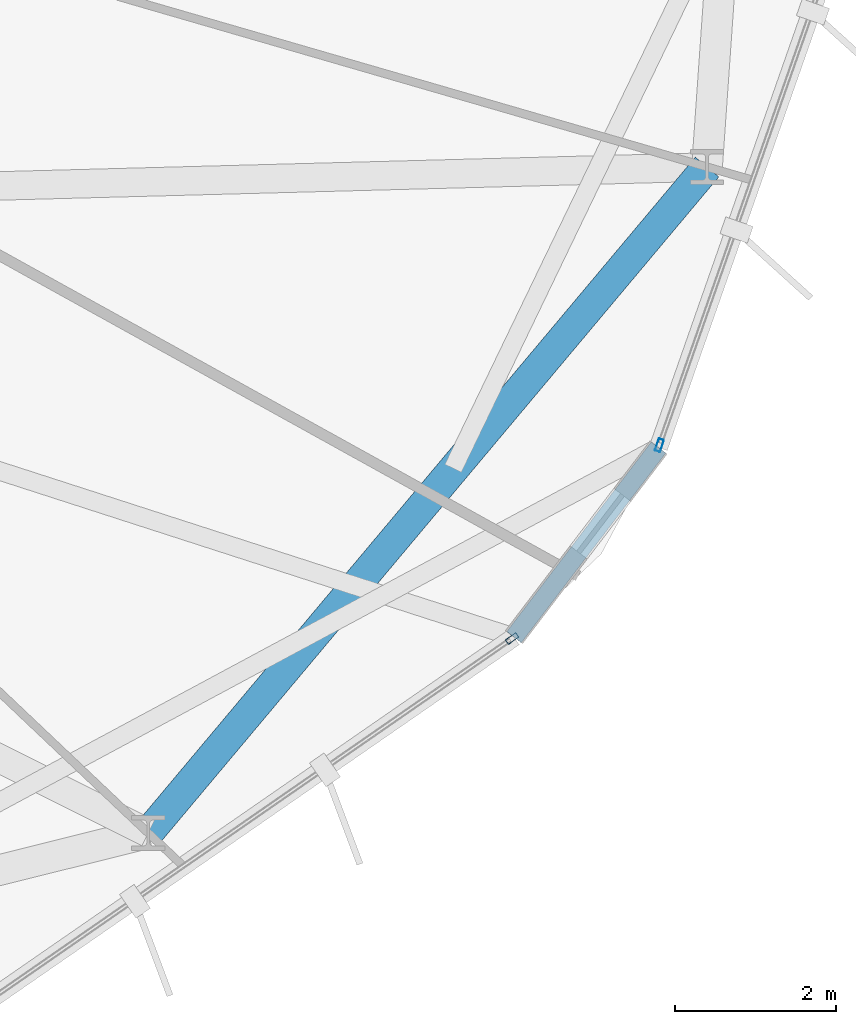
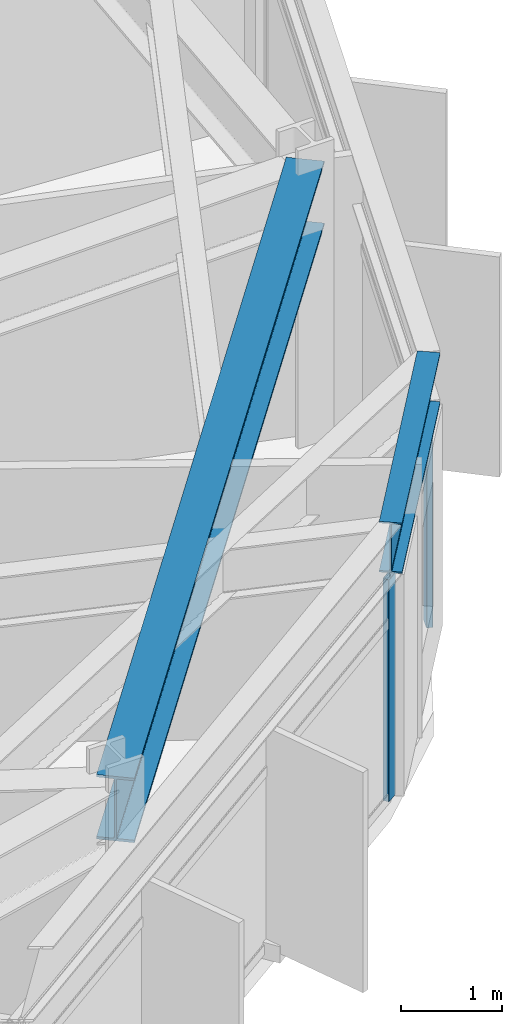
# One storey, part 8 of 22: 2 beams, 2 members, 2 elements without a shape of their own.
"""IFC4 building model written with IfcOpenShell, lengths in metres."""

from ifc_helpers import new_model, si_unit, direction, frame, origin, origin_2d, place, context, subcontext, project, spatial, hollow_rectangle, i_section, extrude, material, layer, layer_set, material_profile, profile_set, type_object, element, aggregate, save


model = new_model("IFC4")

# Units and contexts
model_context = context("Model", 3, precision=1e-05, world=origin(), true_north=direction((0.0, 1.0)))
body_context = subcontext(model_context, "Body", "Model", "MODEL_VIEW")
ifc_project = project(units=[si_unit("LENGTHUNIT", "METRE"), si_unit("AREAUNIT", "SQUARE_METRE"), si_unit("VOLUMEUNIT", "CUBIC_METRE"), si_unit("PLANEANGLEUNIT", "RADIAN"), si_unit("MASSUNIT", "GRAM", prefix="KILO")], contexts=[model_context])

# Site, building, storey
site_placement = place(None, origin())
site = spatial("IfcSite", under=ifc_project, at=site_placement, CompositionType="ELEMENT")
building_placement = place(site_placement, origin())
building = spatial("IfcBuilding", under=site, at=building_placement, Name="Soratama Intermodal Tower", CompositionType="ELEMENT")
storey_placement = place(building_placement, frame((0.0, 0.0, 160.60009765625)))
storey = spatial("IfcBuildingStorey", under=building, at=storey_placement, Name="L39", CompositionType="ELEMENT", Elevation=160.60009765625)

# Beams
ifc_material_1 = material(Name="Structural steel ASTM A992 Grade 50", Category="steel")
ifc_material_profile_1 = material_profile(ifc_material_1, i_section(OverallWidth=0.382080078125, OverallDepth=0.779052734375, WebThickness=0.01806640625, FlangeThickness=0.030029296875, FilletRadius=0.01806640625, at=origin_2d()), Name="W30X191")
ifc_profile_set_1 = profile_set([ifc_material_profile_1], Name="Structural steel ASTM A992 Grade 50")
beam_type_1 = type_object("IfcBeamType", Name="BM-RING-W30X191", PredefinedType="BEAM", material=ifc_profile_set_1)
beam_1_placement = place(storey_placement, frame((54.27392578125, 10.158935546875, 2.910400390625), z_axis=(0.642791781199, 0.766040942785, 0.0), x_axis=(-0.766040942785, 0.642791781199, 0.0)))
element("IfcBeam", 1, at=beam_1_placement, inside=storey, type_object=beam_type_1, Name="BM-L39-RING-09", PredefinedType="BEAM", context=body_context, shape_type="SweptSolid", body=[
    extrude(i_section(OverallWidth=0.382080078125, OverallDepth=0.779052734375, WebThickness=0.01806640625, FlangeThickness=0.030029296875, FilletRadius=0.01806640625, at=origin_2d()), origin(), (0.0, 0.0, 1.0), 10.815673828125),
])
ifc_material_2 = material(Name="Structural steel ASTM A992 Grade 50", Category="steel")
ifc_material_profile_2 = material_profile(ifc_material_2, i_section(OverallWidth=0.22900390625, OverallDepth=0.612060546875, WebThickness=0.011962890625, FlangeThickness=0.01953125, FilletRadius=0.012939453125, at=origin_2d()), Name="W24X84")
ifc_profile_set_2 = profile_set([ifc_material_profile_2], Name="Structural steel ASTM A992 Grade 50")
beam_type_2 = type_object("IfcBeamType", Name="BM-SPN-W24X84", PredefinedType="SPANDREL", material=ifc_profile_set_2)
beam_2_placement = place(storey_placement, frame((58.824951171875, 12.594970703125, 2.993896484375), z_axis=(0.606025860984, 0.795444942041, 0.0), x_axis=(-0.795444942041, 0.606025860984, 0.0)))
element("IfcBeam", 2, at=beam_2_placement, inside=storey, type_object=beam_type_2, Name="BS-L39-CRN08", PredefinedType="SPANDREL", context=body_context, shape_type="SweptSolid", body=[
    extrude(i_section(OverallWidth=0.22900390625, OverallDepth=0.612060546875, WebThickness=0.011962890625, FlangeThickness=0.01953125, FilletRadius=0.012939453125, at=origin_2d()), origin(), (0.0, 0.0, 1.0), 2.967041015625),
])

# Curtain wall, member
ifc_material_3 = material(Name="Double-glazed aluminium curtain wall", Category="aluminium")
ifc_layer = layer(ifc_material_3, 0.159912109375)
ifc_layer_set = layer_set([ifc_layer], Name="Double-glazed aluminium curtain wall")
curtain_wall_type = type_object("IfcCurtainWallType", Name="CW-SYS-4", PredefinedType="NOTDEFINED", material=ifc_layer_set)
curtain_wall_1_placement = place(storey_placement, origin())
curtain_wall_1 = element("IfcCurtainWall", 3, at=curtain_wall_1_placement, inside=storey, type_object=curtain_wall_type, Name="L39 Faceted Curtain Wall F08", PredefinedType="NOTDEFINED")
ifc_material_4 = material(Name="Anodised aluminium AA 6063-T6", Category="aluminium")
ifc_material_profile_3 = material_profile(ifc_material_4, hollow_rectangle(XDim=0.070068359375, YDim=0.159912109375, WallThickness=0.0048828125, InnerFilletRadius=0.0048828125, OuterFilletRadius=0.010009765625, at=origin_2d()), Name="CWM160X70X5")
ifc_profile_set_3 = profile_set([ifc_material_profile_3], Name="Anodised aluminium AA 6063-T6")
member_type = type_object("IfcMemberType", Name="MT-CWM-4", PredefinedType="MULLION", material=ifc_profile_set_3)
member_1_placement = place(storey_placement, frame((58.80029296875, 12.578369140625, 0.0), z_axis=(0.0, 0.0, 1.0), x_axis=(-0.568991019589, 0.822343735689, 0.0)))
member_1 = element("IfcMember", 4, at=member_1_placement, type_object=member_type, Name="CW-4 mullion 2", PredefinedType="MULLION", context=body_context, shape_type="SweptSolid", body=[
    extrude(hollow_rectangle(XDim=0.070068359375, YDim=0.159912109375, WallThickness=0.0048828125, InnerFilletRadius=0.0048828125, OuterFilletRadius=0.010009765625, at=origin_2d()), origin(), (0.0, 0.0, 1.0), 2.678955078125),
])
aggregate(curtain_wall_1, [member_1])

curtain_wall_2_placement = place(storey_placement, origin())
curtain_wall_2 = element("IfcCurtainWall", 5, at=curtain_wall_2_placement, inside=storey, type_object=curtain_wall_type, Name="L39 Faceted Curtain Wall F09", PredefinedType="NOTDEFINED")
member_2_placement = place(storey_placement, frame((60.633544921875, 14.98291015625, 0.0), z_axis=(0.0, 0.0, 1.0), x_axis=(-0.943684630386, 0.330846366721, 0.0)))
member_2 = element("IfcMember", 6, at=member_2_placement, type_object=member_type, Name="CW-4 mullion 1", PredefinedType="MULLION", context=body_context, shape_type="SweptSolid", body=[
    extrude(hollow_rectangle(XDim=0.070068359375, YDim=0.159912109375, WallThickness=0.0048828125, InnerFilletRadius=0.0048828125, OuterFilletRadius=0.010009765625, at=origin_2d()), origin(), (0.0, 0.0, 1.0), 2.678955078125),
])
aggregate(curtain_wall_2, [member_2])

save(model, "model.ifc")
